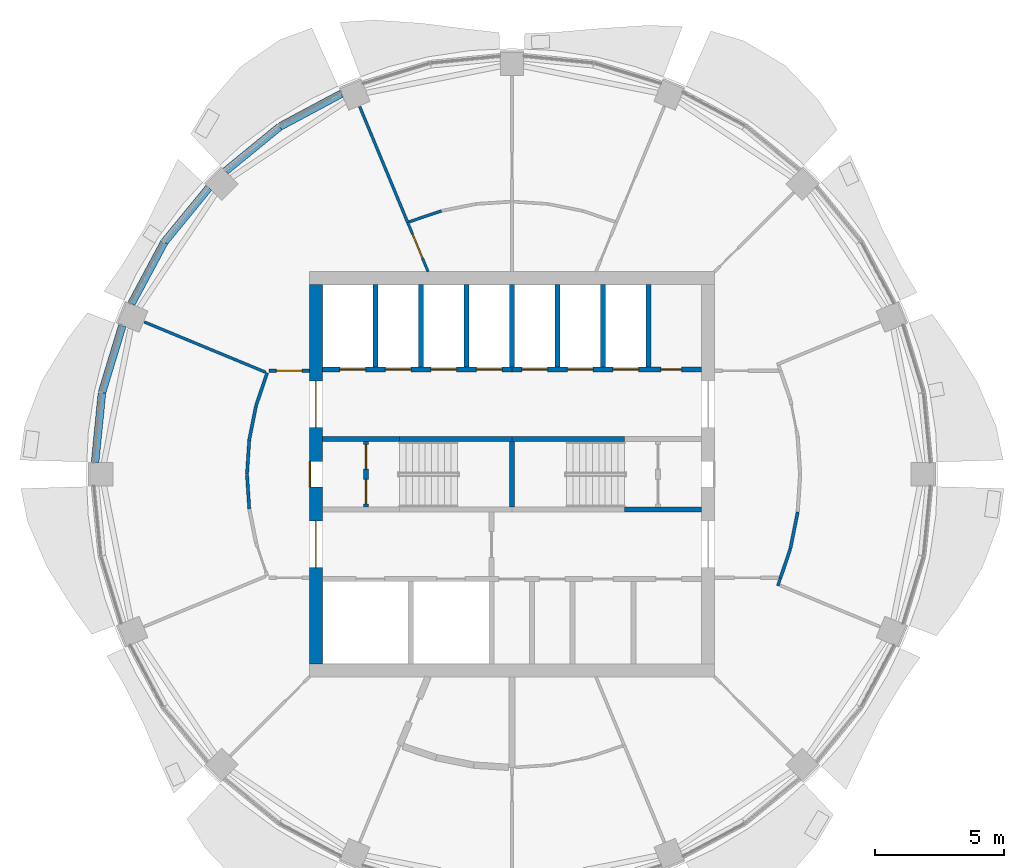
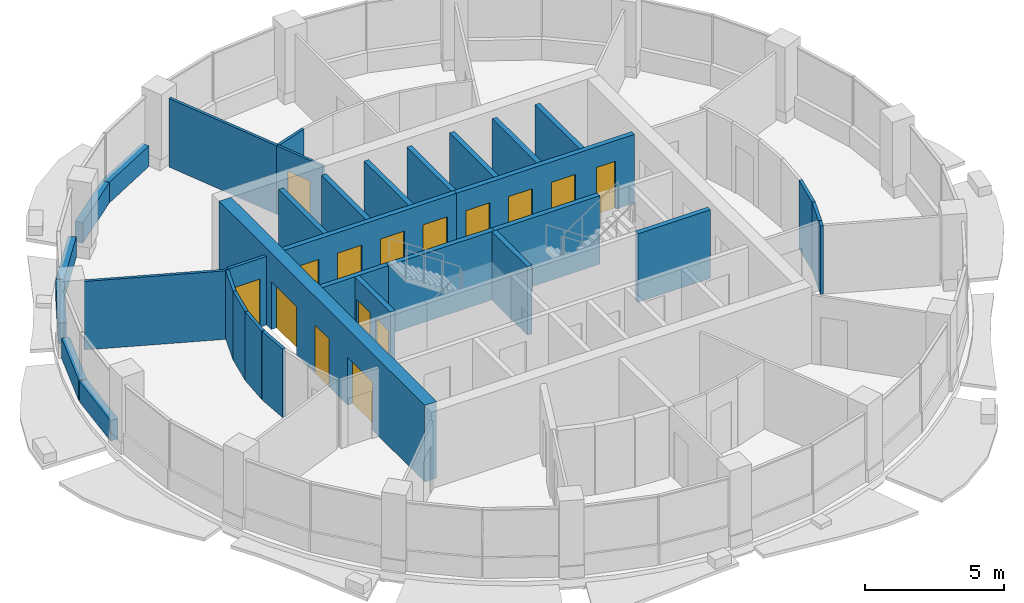
# One storey, part 9 of 15: 34 walls, 15 doors, 15 openings.
"""IFC4 building model written with IfcOpenShell, lengths in metres."""

from ifc_helpers import new_model, si_unit, direction, frame, frame_2d, origin, place, context, subcontext, project, spatial, rectangle, extrude, material, layer, layer_set, type_object, element, fill, save


model = new_model("IFC4")

# Units and contexts
model_context = context("Model", 3, precision=1e-05, world=origin(), true_north=direction((0.0, 1.0)))
body_context = subcontext(model_context, "Body", "Model", "MODEL_VIEW")
ifc_project = project(units=[si_unit("LENGTHUNIT", "METRE"), si_unit("AREAUNIT", "SQUARE_METRE"), si_unit("VOLUMEUNIT", "CUBIC_METRE"), si_unit("PLANEANGLEUNIT", "RADIAN"), si_unit("MASSUNIT", "GRAM", prefix="KILO")], contexts=[model_context])

# Site, building, storey
site_placement = place(None, origin())
site = spatial("IfcSite", under=ifc_project, at=site_placement, CompositionType="ELEMENT")
building_placement = place(site_placement, origin())
building = spatial("IfcBuilding", under=site, at=building_placement, Name="Polderwave Tower", CompositionType="ELEMENT")
storey_placement = place(building_placement, frame((0.0, 0.0, 207.75)))
storey = spatial("IfcBuildingStorey", under=building, at=storey_placement, Name="L56", CompositionType="ELEMENT", Elevation=207.75)

# Wall, openings, doors
ifc_material_1 = material(Name="Concrete C60/75", Category="concrete")
ifc_layer_1 = layer(ifc_material_1, 0.5)
ifc_layer_set_1 = layer_set([ifc_layer_1], Name="CORE WALL 500 C60/75")
wall_type_1 = type_object("IfcWallType", Name="CORE WALL 500 C60/75", PredefinedType="SHEAR", material=ifc_layer_set_1)
wall_1_placement = place(storey_placement, frame((-7.6240234375, -7.3740234375, 0.0), z_axis=(0.0, 0.0, 1.0), x_axis=(0.0, 1.0, 0.0)))
wall_1 = element("IfcWall", 1, at=wall_1_placement, inside=storey, type_object=wall_type_1, Name="ST-CORE-L56-W", PredefinedType="SHEAR", context=body_context, shape_type="SweptSolid", body=[
    extrude(rectangle(XDim=14.748046875, YDim=0.5, at=frame_2d((7.3740234375, 0.0))), origin(), (0.0, 0.0, 1.0), 3.35009765625),
])
opening_1_placement = place(wall_1_placement, frame((6.8740234375, 0.0, 0.0)))
opening_1 = element("IfcOpeningElement", 2, at=opening_1_placement, cuts=wall_1, Name="Opening L56-D20", PredefinedType="OPENING", context=body_context, shape_type="SweptSolid", body=[
    extrude(rectangle(XDim=1.0, YDim=2.10009765625, at=frame_2d((0.5, 1.050048828125))), frame((0.0, 0.260009765625, 0.0), z_axis=(0.0, -1.0, 0.0), x_axis=(1.0, 0.0, 0.0)), (0.0, 0.0, 1.0), 0.52001953125),
])
opening_2_placement = place(wall_1_placement, frame((3.74951171875, 0.0, 0.0)))
opening_2 = element("IfcOpeningElement", 3, at=opening_2_placement, cuts=wall_1, Name="Opening L56-D21", PredefinedType="OPENING", context=body_context, shape_type="SweptSolid", body=[
    extrude(rectangle(XDim=1.800048828125, YDim=2.10009765625, at=frame_2d((0.89990234375, 1.050048828125))), frame((0.0, 0.260009765625, 0.0), z_axis=(0.0, -1.0, 0.0), x_axis=(1.0, 0.0, 0.0)), (0.0, 0.0, 1.0), 0.52001953125),
])
opening_3_placement = place(wall_1_placement, frame((9.198486328125, 0.0, 0.0)))
opening_3 = element("IfcOpeningElement", 4, at=opening_3_placement, cuts=wall_1, Name="Opening L56-D22", PredefinedType="OPENING", context=body_context, shape_type="SweptSolid", body=[
    extrude(rectangle(XDim=1.800048828125, YDim=2.10009765625, at=frame_2d((0.89990234375, 1.050048828125))), frame((0.0, 0.260009765625, 0.0), z_axis=(0.0, -1.0, 0.0), x_axis=(1.0, 0.0, 0.0)), (0.0, 0.0, 1.0), 0.52001953125),
])
ifc_material_2 = material(Name="Steel fire door", Category="steel")
door_type_1 = type_object("IfcDoorType", Name="Lobby entry door pair 1800", OperationType="DOUBLE_DOOR_SINGLE_SWING", PredefinedType="DOOR", material=ifc_material_2)
door_1_placement = place(opening_2_placement, origin())
door_1 = element("IfcDoor", 5, at=door_1_placement, inside=storey, type_object=door_type_1, Name="Fire-fighting lobby entry door", OperationType="DOUBLE_DOOR_SINGLE_SWING", OverallHeight=2.10009765625, OverallWidth=1.800048828125, PredefinedType="DOOR", context=body_context, shape_type="SweptSolid", body=[
    extrude(rectangle(XDim=1.800048828125, YDim=2.10009765625, at=frame_2d((0.89990234375, 1.050048828125))), frame((0.0, 0.02490234375, 0.0), z_axis=(0.0, -1.0, 0.0), x_axis=(1.0, 0.0, 0.0)), (0.0, 0.0, 1.0), 0.050048828125),
])
fill(opening_2, door_1)
door_2_placement = place(opening_3_placement, origin())
door_2 = element("IfcDoor", 6, at=door_2_placement, inside=storey, type_object=door_type_1, Name="North lobby entry door", OperationType="DOUBLE_DOOR_SINGLE_SWING", OverallHeight=2.10009765625, OverallWidth=1.800048828125, PredefinedType="DOOR", context=body_context, shape_type="SweptSolid", body=[
    extrude(rectangle(XDim=1.800048828125, YDim=2.10009765625, at=frame_2d((0.89990234375, 1.050048828125))), frame((0.0, 0.02490234375, 0.0), z_axis=(0.0, -1.0, 0.0), x_axis=(1.0, 0.0, 0.0)), (0.0, 0.0, 1.0), 0.050048828125),
])
fill(opening_3, door_2)
door_type_2 = type_object("IfcDoorType", Name="Stair door 1000", OperationType="NOTDEFINED", PredefinedType="DOOR", material=ifc_material_2)
door_3_placement = place(opening_1_placement, origin())
door_3 = element("IfcDoor", 7, at=door_3_placement, inside=storey, type_object=door_type_2, Name="Stair A entry door", OperationType="SINGLE_SWING_RIGHT", OverallHeight=2.10009765625, OverallWidth=1.0, PredefinedType="DOOR", context=body_context, shape_type="SweptSolid", body=[
    extrude(rectangle(XDim=1.0, YDim=2.10009765625, at=frame_2d((0.5, 1.050048828125))), frame((0.0, 0.25, 0.0), z_axis=(0.0, -1.0, 0.0), x_axis=(1.0, 0.0, 0.0)), (0.0, 0.0, 1.0), 0.050048828125),
])
fill(opening_1, door_3)

# Walls
ifc_material_3 = material(Name="Concrete C50/60 (board-marked)", Category="concrete")
ifc_layer_2 = layer(ifc_material_3, 0.300048828125)
ifc_layer_set_2 = layer_set([ifc_layer_2], Name="Concrete spandrel upstand C50/60")
wall_type_2 = type_object("IfcWallType", Name="Concrete spandrel upstand C50/60", PredefinedType="SOLIDWALL", material=ifc_layer_set_2)
for number, where, z_axis, x_axis, name in (
    (8, (-6.630126953125, 14.79296875, 0.0), (0.0, 0.0, 1.0), (-0.881887660835, -0.471459599189, 0.0), "Spandrel L56 6a"),
    (9, (-9.03955078125, 13.50146484375, 0.0), (0.0, 0.0, 1.0), (-0.773200498897, -0.634161642253, 0.0), "Spandrel L56 6b"),
    (10, (-11.78662109375, 11.13037109375, 0.0), (0.0, 0.0, 1.0), (-0.634161642253, -0.773200498897, 0.0), "Spandrel L56 7a"),
    (11, (-13.51806640625, 9.014892578125, 0.0), (0.0, 0.0, 1.0), (-0.471459599189, -0.881887660835, 0.0), "Spandrel L56 7b"),
):
    element("IfcWall", number, at=place(storey_placement, frame(where, z_axis=z_axis, x_axis=x_axis)), inside=storey, type_object=wall_type_2, Name=name, PredefinedType="SOLIDWALL", context=body_context, shape_type="SweptSolid", body=[
        extrude(rectangle(XDim=2.7041015625, YDim=0.300048828125, at=frame_2d((1.35205078125, 0.0))), origin(), (0.0, 0.0, 1.0), 0.89990234375),
    ])
wall_2_placement = place(storey_placement, frame((-15.1474609375, 5.772705078125, 0.0), z_axis=(0.0, 0.0, 1.0), x_axis=(-0.290608505958, -0.956842043529, 0.0)))
element("IfcWall", 12, at=wall_2_placement, inside=storey, type_object=wall_type_2, Name="Spandrel L56 8a", PredefinedType="SOLIDWALL", context=body_context, shape_type="SweptSolid", body=[
    extrude(rectangle(XDim=2.705078125, YDim=0.300048828125, at=frame_2d((1.3525390625, 0.0))), origin(), (0.0, 0.0, 1.0), 0.89990234375),
])
wall_3_placement = place(storey_placement, frame((-15.939453125, 3.155029296875, 0.0), z_axis=(0.0, 0.0, 1.0), x_axis=(-0.098046581117, -0.995181826568, 0.0)))
element("IfcWall", 13, at=wall_3_placement, inside=storey, type_object=wall_type_2, Name="Spandrel L56 8b", PredefinedType="SOLIDWALL", context=body_context, shape_type="SweptSolid", body=[
    extrude(rectangle(XDim=2.7041015625, YDim=0.300048828125, at=frame_2d((1.35205078125, 0.0))), origin(), (0.0, 0.0, 1.0), 0.89990234375),
])

# Wall, openings, doors
ifc_material_4 = material(Name="Gypsum board partition")
ifc_layer_3 = layer(ifc_material_4, 0.199951171875)
ifc_layer_set_3 = layer_set([ifc_layer_3], Name="Core room partition 200")
wall_type_3 = type_object("IfcWallType", Name="Core room partition 200", PredefinedType="PARTITIONING", material=ifc_layer_set_3)
wall_4_placement = place(storey_placement, frame((-5.674072265625, -1.27490234375, 0.0), z_axis=(0.0, 0.0, 1.0), x_axis=(0.0, 1.0, 0.0)))
wall_4 = element("IfcWall", 14, at=wall_4_placement, inside=storey, type_object=wall_type_3, Name="L56 smoke lobby wall A", PredefinedType="PARTITIONING", context=body_context, shape_type="SweptSolid", body=[
    extrude(rectangle(XDim=2.5498046875, YDim=0.199951171875, at=frame_2d((1.27490234375, 0.0))), origin(), (0.0, 0.0, 1.0), 3.0),
])
opening_4_placement = place(wall_4_placement, frame((0.125, 0.0, 0.0)))
opening_4 = element("IfcOpeningElement", 15, at=opening_4_placement, cuts=wall_4, Name="Opening L56-D10", PredefinedType="OPENING", context=body_context, shape_type="SweptSolid", body=[
    extrude(rectangle(XDim=0.949951171875, YDim=2.10009765625, at=frame_2d((0.47509765625, 1.050048828125))), frame((0.0, 0.10986328125, 0.0), z_axis=(0.0, -1.0, 0.0), x_axis=(1.0, 0.0, 0.0)), (0.0, 0.0, 1.0), 0.219970703125),
])
opening_5_placement = place(wall_4_placement, frame((1.47509765625, 0.0, 0.0)))
opening_5 = element("IfcOpeningElement", 16, at=opening_5_placement, cuts=wall_4, Name="Opening L56-D11", PredefinedType="OPENING", context=body_context, shape_type="SweptSolid", body=[
    extrude(rectangle(XDim=0.949951171875, YDim=2.10009765625, at=frame_2d((0.47509765625, 1.050048828125))), frame((0.0, 0.10986328125, 0.0), z_axis=(0.0, -1.0, 0.0), x_axis=(1.0, 0.0, 0.0)), (0.0, 0.0, 1.0), 0.219970703125),
])
door_type_3 = type_object("IfcDoorType", Name="Smoke lobby door 950", OperationType="NOTDEFINED", PredefinedType="DOOR", material=ifc_material_2)
door_4_placement = place(opening_4_placement, origin())
door_4 = element("IfcDoor", 17, at=door_4_placement, inside=storey, type_object=door_type_3, Name="Stair A smoke lobby inner door", OperationType="SINGLE_SWING_LEFT", OverallHeight=2.10009765625, OverallWidth=0.949951171875, PredefinedType="DOOR", context=body_context, shape_type="SweptSolid", body=[
    extrude(rectangle(XDim=0.949951171875, YDim=2.10009765625, at=frame_2d((0.47509765625, 1.050048828125))), frame((0.0, 0.02490234375, 0.0), z_axis=(0.0, -1.0, 0.0), x_axis=(1.0, 0.0, 0.0)), (0.0, 0.0, 1.0), 0.050048828125),
])
fill(opening_4, door_4)
door_5_placement = place(opening_5_placement, origin())
door_5 = element("IfcDoor", 18, at=door_5_placement, inside=storey, type_object=door_type_3, Name="Stair A smoke lobby inner door", OperationType="SINGLE_SWING_RIGHT", OverallHeight=2.10009765625, OverallWidth=0.949951171875, PredefinedType="DOOR", context=body_context, shape_type="SweptSolid", body=[
    extrude(rectangle(XDim=0.949951171875, YDim=2.10009765625, at=frame_2d((0.47509765625, 1.050048828125))), frame((0.0, 0.02490234375, 0.0), z_axis=(0.0, -1.0, 0.0), x_axis=(1.0, 0.0, 0.0)), (0.0, 0.0, 1.0), 0.050048828125),
])
fill(opening_5, door_5)

ifc_material_5 = material(Name="Concrete C50/60", Category="concrete")
ifc_layer_4 = layer(ifc_material_5, 0.199951171875)
ifc_layer_set_4 = layer_set([ifc_layer_4], Name="Core web wall 200")
wall_type_4 = type_object("IfcWallType", Name="Core web wall 200", PredefinedType="SHEAR", material=ifc_layer_set_4)
wall_5_placement = place(storey_placement, frame((-7.3740234375, 4.073974609375, 0.0), z_axis=(0.0, 0.0, 1.0), x_axis=(1.0, 0.0, 0.0)))
wall_5 = element("IfcWall", 19, at=wall_5_placement, inside=storey, type_object=wall_type_4, Name="L56 north front wall 1", PredefinedType="SHEAR", context=body_context, shape_type="SweptSolid", body=[
    extrude(rectangle(XDim=7.3740234375, YDim=0.199951171875, at=frame_2d((3.68701171875, 0.0))), origin(), (0.0, 0.0, 1.0), 3.0),
])
opening_6_placement = place(wall_5_placement, frame((0.68408203125, 0.0, 0.0)))
opening_6 = element("IfcOpeningElement", 20, at=opening_6_placement, cuts=wall_5, Name="Opening L56-D03", PredefinedType="OPENING", context=body_context, shape_type="SweptSolid", body=[
    extrude(rectangle(XDim=1.0, YDim=2.10009765625, at=frame_2d((0.5, 1.050048828125))), frame((0.0, 0.10986328125, 0.0), z_axis=(0.0, -1.0, 0.0), x_axis=(1.0, 0.0, 0.0)), (0.0, 0.0, 1.0), 0.219970703125),
])
opening_7_placement = place(wall_5_placement, frame((2.45263671875, 0.0, 0.0)))
opening_7 = element("IfcOpeningElement", 21, at=opening_7_placement, cuts=wall_5, Name="Opening L56-D04", PredefinedType="OPENING", context=body_context, shape_type="SweptSolid", body=[
    extrude(rectangle(XDim=1.0, YDim=2.10009765625, at=frame_2d((0.5, 1.050048828125))), frame((0.0, 0.10986328125, 0.0), z_axis=(0.0, -1.0, 0.0), x_axis=(1.0, 0.0, 0.0)), (0.0, 0.0, 1.0), 0.219970703125),
])
opening_8_placement = place(wall_5_placement, frame((4.22119140625, 0.0, 0.0)))
opening_8 = element("IfcOpeningElement", 22, at=opening_8_placement, cuts=wall_5, Name="Opening L56-D05", PredefinedType="OPENING", context=body_context, shape_type="SweptSolid", body=[
    extrude(rectangle(XDim=1.0, YDim=2.10009765625, at=frame_2d((0.5, 1.050048828125))), frame((0.0, 0.10986328125, 0.0), z_axis=(0.0, -1.0, 0.0), x_axis=(1.0, 0.0, 0.0)), (0.0, 0.0, 1.0), 0.219970703125),
])
opening_9_placement = place(wall_5_placement, frame((5.98974609375, 0.0, 0.0)))
opening_9 = element("IfcOpeningElement", 23, at=opening_9_placement, cuts=wall_5, Name="Opening L56-D06", PredefinedType="OPENING", context=body_context, shape_type="SweptSolid", body=[
    extrude(rectangle(XDim=1.0, YDim=2.10009765625, at=frame_2d((0.5, 1.050048828125))), frame((0.0, 0.10986328125, 0.0), z_axis=(0.0, -1.0, 0.0), x_axis=(1.0, 0.0, 0.0)), (0.0, 0.0, 1.0), 0.219970703125),
])
ifc_material_6 = material(Name="Stainless steel", Category="steel")
door_type_4 = type_object("IfcDoorType", Name="Lift landing door 1000", OperationType="DOUBLE_DOOR_SLIDING", PredefinedType="DOOR", material=ifc_material_6)
door_6_placement = place(opening_6_placement, frame((1.0, 0.0, 0.0), z_axis=(0.0, 0.0, 1.0), x_axis=(-1.0, 0.0, 0.0)))
door_6 = element("IfcDoor", 24, at=door_6_placement, inside=storey, type_object=door_type_4, Name="Lift HL1 landing door", OperationType="DOUBLE_DOOR_SLIDING", OverallHeight=2.10009765625, OverallWidth=1.0, PredefinedType="DOOR", context=body_context, shape_type="SweptSolid", body=[
    extrude(rectangle(XDim=1.0, YDim=2.10009765625, at=frame_2d((0.5, 1.050048828125))), frame((0.0, 0.02490234375, 0.0), z_axis=(0.0, -1.0, 0.0), x_axis=(1.0, 0.0, 0.0)), (0.0, 0.0, 1.0), 0.050048828125),
])
fill(opening_6, door_6)
door_7_placement = place(opening_7_placement, frame((1.0, 0.0, 0.0), z_axis=(0.0, 0.0, 1.0), x_axis=(-1.0, 0.0, 0.0)))
door_7 = element("IfcDoor", 25, at=door_7_placement, inside=storey, type_object=door_type_4, Name="Lift HL2 landing door", OperationType="DOUBLE_DOOR_SLIDING", OverallHeight=2.10009765625, OverallWidth=1.0, PredefinedType="DOOR", context=body_context, shape_type="SweptSolid", body=[
    extrude(rectangle(XDim=1.0, YDim=2.10009765625, at=frame_2d((0.5, 1.050048828125))), frame((0.0, 0.02490234375, 0.0), z_axis=(0.0, -1.0, 0.0), x_axis=(1.0, 0.0, 0.0)), (0.0, 0.0, 1.0), 0.050048828125),
])
fill(opening_7, door_7)
door_8_placement = place(opening_8_placement, frame((1.0, 0.0, 0.0), z_axis=(0.0, 0.0, 1.0), x_axis=(-1.0, 0.0, 0.0)))
door_8 = element("IfcDoor", 26, at=door_8_placement, inside=storey, type_object=door_type_4, Name="Lift HL3 landing door", OperationType="DOUBLE_DOOR_SLIDING", OverallHeight=2.10009765625, OverallWidth=1.0, PredefinedType="DOOR", context=body_context, shape_type="SweptSolid", body=[
    extrude(rectangle(XDim=1.0, YDim=2.10009765625, at=frame_2d((0.5, 1.050048828125))), frame((0.0, 0.02490234375, 0.0), z_axis=(0.0, -1.0, 0.0), x_axis=(1.0, 0.0, 0.0)), (0.0, 0.0, 1.0), 0.050048828125),
])
fill(opening_8, door_8)
door_9_placement = place(opening_9_placement, frame((1.0, 0.0, 0.0), z_axis=(0.0, 0.0, 1.0), x_axis=(-1.0, 0.0, 0.0)))
door_9 = element("IfcDoor", 27, at=door_9_placement, inside=storey, type_object=door_type_4, Name="Lift HL4 landing door", OperationType="DOUBLE_DOOR_SLIDING", OverallHeight=2.10009765625, OverallWidth=1.0, PredefinedType="DOOR", context=body_context, shape_type="SweptSolid", body=[
    extrude(rectangle(XDim=1.0, YDim=2.10009765625, at=frame_2d((0.5, 1.050048828125))), frame((0.0, 0.02490234375, 0.0), z_axis=(0.0, -1.0, 0.0), x_axis=(1.0, 0.0, 0.0)), (0.0, 0.0, 1.0), 0.050048828125),
])
fill(opening_9, door_9)

wall_6_placement = place(storey_placement, frame((0.0, 4.073974609375, 0.0), z_axis=(0.0, 0.0, 1.0), x_axis=(1.0, 0.0, 0.0)))
wall_6 = element("IfcWall", 28, at=wall_6_placement, inside=storey, type_object=wall_type_4, Name="L56 north front wall 2", PredefinedType="SHEAR", context=body_context, shape_type="SweptSolid", body=[
    extrude(rectangle(XDim=7.3740234375, YDim=0.199951171875, at=frame_2d((3.68701171875, 0.0))), origin(), (0.0, 0.0, 1.0), 3.0),
])
opening_10_placement = place(wall_6_placement, frame((0.38427734375, 0.0, 0.0)))
opening_10 = element("IfcOpeningElement", 29, at=opening_10_placement, cuts=wall_6, Name="Opening L56-D07", PredefinedType="OPENING", context=body_context, shape_type="SweptSolid", body=[
    extrude(rectangle(XDim=1.0, YDim=2.10009765625, at=frame_2d((0.5, 1.050048828125))), frame((0.0, 0.10986328125, 0.0), z_axis=(0.0, -1.0, 0.0), x_axis=(1.0, 0.0, 0.0)), (0.0, 0.0, 1.0), 0.219970703125),
])
opening_11_placement = place(wall_6_placement, frame((2.15283203125, 0.0, 0.0)))
opening_11 = element("IfcOpeningElement", 30, at=opening_11_placement, cuts=wall_6, Name="Opening L56-D08", PredefinedType="OPENING", context=body_context, shape_type="SweptSolid", body=[
    extrude(rectangle(XDim=1.0, YDim=2.10009765625, at=frame_2d((0.5, 1.050048828125))), frame((0.0, 0.10986328125, 0.0), z_axis=(0.0, -1.0, 0.0), x_axis=(1.0, 0.0, 0.0)), (0.0, 0.0, 1.0), 0.219970703125),
])
opening_12_placement = place(wall_6_placement, frame((3.921142578125, 0.0, 0.0)))
opening_12 = element("IfcOpeningElement", 31, at=opening_12_placement, cuts=wall_6, Name="Opening L56-D09", PredefinedType="OPENING", context=body_context, shape_type="SweptSolid", body=[
    extrude(rectangle(XDim=1.0, YDim=2.10009765625, at=frame_2d((0.5, 1.050048828125))), frame((0.0, 0.10986328125, 0.0), z_axis=(0.0, -1.0, 0.0), x_axis=(1.0, 0.0, 0.0)), (0.0, 0.0, 1.0), 0.219970703125),
])
opening_13_placement = place(wall_6_placement, frame((5.789794921875, 0.0, 0.0)))
opening_13 = element("IfcOpeningElement", 32, at=opening_13_placement, cuts=wall_6, Name="Opening L56-D19", PredefinedType="OPENING", context=body_context, shape_type="SweptSolid", body=[
    extrude(rectangle(XDim=0.800048828125, YDim=2.10009765625, at=frame_2d((0.39990234375, 1.050048828125))), frame((0.0, 0.10986328125, 0.0), z_axis=(0.0, -1.0, 0.0), x_axis=(1.0, 0.0, 0.0)), (0.0, 0.0, 1.0), 0.219970703125),
])
door_10_placement = place(opening_10_placement, frame((1.0, 0.0, 0.0), z_axis=(0.0, 0.0, 1.0), x_axis=(-1.0, 0.0, 0.0)))
door_10 = element("IfcDoor", 33, at=door_10_placement, inside=storey, type_object=door_type_4, Name="Lift HL5 landing door", OperationType="DOUBLE_DOOR_SLIDING", OverallHeight=2.10009765625, OverallWidth=1.0, PredefinedType="DOOR", context=body_context, shape_type="SweptSolid", body=[
    extrude(rectangle(XDim=1.0, YDim=2.10009765625, at=frame_2d((0.5, 1.050048828125))), frame((0.0, 0.02490234375, 0.0), z_axis=(0.0, -1.0, 0.0), x_axis=(1.0, 0.0, 0.0)), (0.0, 0.0, 1.0), 0.050048828125),
])
fill(opening_10, door_10)
door_11_placement = place(opening_11_placement, frame((1.0, 0.0, 0.0), z_axis=(0.0, 0.0, 1.0), x_axis=(-1.0, 0.0, 0.0)))
door_11 = element("IfcDoor", 34, at=door_11_placement, inside=storey, type_object=door_type_4, Name="Lift HL6 landing door", OperationType="DOUBLE_DOOR_SLIDING", OverallHeight=2.10009765625, OverallWidth=1.0, PredefinedType="DOOR", context=body_context, shape_type="SweptSolid", body=[
    extrude(rectangle(XDim=1.0, YDim=2.10009765625, at=frame_2d((0.5, 1.050048828125))), frame((0.0, 0.02490234375, 0.0), z_axis=(0.0, -1.0, 0.0), x_axis=(1.0, 0.0, 0.0)), (0.0, 0.0, 1.0), 0.050048828125),
])
fill(opening_11, door_11)
door_12_placement = place(opening_12_placement, frame((1.0, 0.0, 0.0), z_axis=(0.0, 0.0, 1.0), x_axis=(-1.0, 0.0, 0.0)))
door_12 = element("IfcDoor", 35, at=door_12_placement, inside=storey, type_object=door_type_4, Name="Lift HL7 landing door", OperationType="DOUBLE_DOOR_SLIDING", OverallHeight=2.10009765625, OverallWidth=1.0, PredefinedType="DOOR", context=body_context, shape_type="SweptSolid", body=[
    extrude(rectangle(XDim=1.0, YDim=2.10009765625, at=frame_2d((0.5, 1.050048828125))), frame((0.0, 0.02490234375, 0.0), z_axis=(0.0, -1.0, 0.0), x_axis=(1.0, 0.0, 0.0)), (0.0, 0.0, 1.0), 0.050048828125),
])
fill(opening_12, door_12)
door_type_5 = type_object("IfcDoorType", Name="Riser door 800", OperationType="NOTDEFINED", PredefinedType="DOOR", material=ifc_material_2)
door_13_placement = place(opening_13_placement, frame((0.800048828125, 0.0, 0.0), z_axis=(0.0, 0.0, 1.0), x_axis=(-1.0, 0.0, 0.0)))
door_13 = element("IfcDoor", 36, at=door_13_placement, inside=storey, type_object=door_type_5, Name="Riser door", OperationType="SINGLE_SWING_LEFT", OverallHeight=2.10009765625, OverallWidth=0.800048828125, PredefinedType="DOOR", context=body_context, shape_type="SweptSolid", body=[
    extrude(rectangle(XDim=0.800048828125, YDim=2.10009765625, at=frame_2d((0.39990234375, 1.050048828125))), frame((0.0, 0.02490234375, 0.0), z_axis=(0.0, -1.0, 0.0), x_axis=(1.0, 0.0, 0.0)), (0.0, 0.0, 1.0), 0.050048828125),
])
fill(opening_13, door_13)

# Walls
for number, where, z_axis, x_axis, name in (
    (37, (4.3740234375, -1.375, 0.0), (0.0, 0.0, 1.0), (1.0, 0.0, 0.0), "L56 south stair wall 4"),
    (38, (-7.3740234375, 1.375, 0.0), (0.0, 0.0, 1.0), (1.0, 0.0, 0.0), "L56 north stair wall 1"),
):
    element("IfcWall", number, at=place(storey_placement, frame(where, z_axis=z_axis, x_axis=x_axis)), inside=storey, type_object=wall_type_4, Name=name, PredefinedType="SHEAR", context=body_context, shape_type="SweptSolid", body=[
        extrude(rectangle(XDim=3.0, YDim=0.199951171875, at=frame_2d((1.5, 0.0))), origin(), (0.0, 0.0, 1.0), 3.0),
    ])
for number, where, z_axis, x_axis, name in (
    (39, (-4.3740234375, 1.375, 0.0), (0.0, 0.0, 1.0), (1.0, 0.0, 0.0), "L56 north stair wall 2"),
    (40, (0.0, 1.375, 0.0), (0.0, 0.0, 1.0), (1.0, 0.0, 0.0), "L56 north stair wall 3"),
):
    element("IfcWall", number, at=place(storey_placement, frame(where, z_axis=z_axis, x_axis=x_axis)), inside=storey, type_object=wall_type_4, Name=name, PredefinedType="SHEAR", context=body_context, shape_type="SweptSolid", body=[
        extrude(rectangle(XDim=4.3740234375, YDim=0.199951171875, at=frame_2d((2.18701171875, 0.0))), origin(), (0.0, 0.0, 1.0), 3.0),
    ])
wall_7_placement = place(storey_placement, frame((0.0, -1.27490234375, 0.0), z_axis=(0.0, 0.0, 1.0), x_axis=(0.0, 1.0, 0.0)))
element("IfcWall", 41, at=wall_7_placement, inside=storey, type_object=wall_type_4, Name="L56 wall between the stairs", PredefinedType="SHEAR", context=body_context, shape_type="SweptSolid", body=[
    extrude(rectangle(XDim=2.5498046875, YDim=0.199951171875, at=frame_2d((1.27490234375, 0.0))), origin(), (0.0, 0.0, 1.0), 3.0),
])
ifc_material_7 = material(Name="Fire-resisting board on steel studs", Category="steel")
ifc_layer_5 = layer(ifc_material_7, 0.125)
ifc_layer_set_5 = layer_set([ifc_layer_5], Name="Corridor wall 125 mm EI 60")
wall_type_5 = type_object("IfcWallType", Name="Corridor wall 125 mm EI 60", PredefinedType="PARTITIONING", material=ifc_layer_set_5)
wall_8_placement = place(storey_placement, frame((10.817138671875, -2.902587890625, 0.0), z_axis=(0.0, 0.0, 1.0), x_axis=(-0.321477840896, -0.94691710187, 0.0)))
element("IfcWall", 42, at=wall_8_placement, inside=storey, type_object=wall_type_5, Name="IN-L56-W002", PredefinedType="PARTITIONING", context=body_context, shape_type="SweptSolid", body=[
    extrude(rectangle(XDim=1.184814453125, YDim=0.125, at=frame_2d((0.59228515625, 0.0))), origin(), (0.0, 0.0, 1.0), 3.0),
])
wall_9_placement = place(storey_placement, frame((11.103515625, -1.4658203125, 0.0), z_axis=(0.0, 0.0, 1.0), x_axis=(-0.19521377649, -0.980760715704, 0.0)))
element("IfcWall", 43, at=wall_9_placement, inside=storey, type_object=wall_type_5, Name="IN-L56-W004", PredefinedType="PARTITIONING", context=body_context, shape_type="SweptSolid", body=[
    extrude(rectangle(XDim=1.45703125, YDim=0.125, at=frame_2d((0.728515625, 0.0))), origin(), (0.0, 0.0, 1.0), 3.0),
])

# Wall, opening, door
wall_10_placement = place(storey_placement, frame((-9.436279296875, 4.0244140625, 0.0), z_axis=(0.0, 0.0, 1.0), x_axis=(1.0, 0.0, 0.0)))
wall_10 = element("IfcWall", 44, at=wall_10_placement, inside=storey, type_object=wall_type_5, Name="IN-L56-W009", PredefinedType="PARTITIONING", context=body_context, shape_type="SweptSolid", body=[
    extrude(rectangle(XDim=1.562255859375, YDim=0.125, at=frame_2d((0.78125, 0.0))), origin(), (0.0, 0.0, 1.0), 3.0),
])
opening_14_placement = place(wall_10_placement, frame((0.281005859375, 0.0, 0.0)))
opening_14 = element("IfcOpeningElement", 45, at=opening_14_placement, cuts=wall_10, Name="Opening L56-D53", PredefinedType="OPENING", context=body_context, shape_type="SweptSolid", body=[
    extrude(rectangle(XDim=1.0, YDim=2.10009765625, at=frame_2d((0.5, 1.050048828125))), frame((0.0, 0.072509765625, 0.0), z_axis=(0.0, -1.0, 0.0), x_axis=(1.0, 0.0, 0.0)), (0.0, 0.0, 1.0), 0.14501953125),
])
ifc_material_8 = material(Name="Timber fire door leaf", Category="wood")
door_type_6 = type_object("IfcDoorType", Name="Fire door FD30S 1000 x 2100", OperationType="NOTDEFINED", PredefinedType="DOOR", material=ifc_material_8)
door_14_placement = place(opening_14_placement, origin())
door_14 = element("IfcDoor", 46, at=door_14_placement, inside=storey, type_object=door_type_6, Name="Door L56-D53", OperationType="SINGLE_SWING_LEFT", OverallHeight=2.10009765625, OverallWidth=1.0, PredefinedType="DOOR", context=body_context, shape_type="SweptSolid", body=[
    extrude(rectangle(XDim=1.0, YDim=2.10009765625, at=frame_2d((0.5, 1.050048828125))), frame((0.0, 0.02490234375, 0.0), z_axis=(0.0, -1.0, 0.0), x_axis=(1.0, 0.0, 0.0)), (0.0, 0.0, 1.0), 0.050048828125),
])
fill(opening_14, door_14)

# Walls
for number, where, z_axis, x_axis, name in (
    (47, (-10.2998046875, 0.004150390625, 0.0), (0.0, 0.0, 1.0), (0.065454075316, 0.99785558275, 0.0), "IN-L56-W010"),
    (48, (-10.212158203125, -1.34033203125, 0.0), (0.0, 0.0, 1.0), (-0.065454075316, 0.99785558275, 0.0), "IN-L56-W011"),
):
    element("IfcWall", number, at=place(storey_placement, frame(where, z_axis=z_axis, x_axis=x_axis)), inside=storey, type_object=wall_type_5, Name=name, PredefinedType="PARTITIONING", context=body_context, shape_type="SweptSolid", body=[
        extrude(rectangle(XDim=1.339111328125, YDim=0.125, at=frame_2d((0.66943359375, 0.0))), origin(), (0.0, 0.0, 1.0), 3.0),
    ])
wall_11_placement = place(storey_placement, frame((-10.211181640625, 1.348388671875, 0.0), z_axis=(0.0, 0.0, 1.0), x_axis=(0.195239630967, 0.980755569191, 0.0)))
element("IfcWall", 49, at=wall_11_placement, inside=storey, type_object=wall_type_5, Name="IN-L56-W012", PredefinedType="PARTITIONING", context=body_context, shape_type="SweptSolid", body=[
    extrude(rectangle(XDim=1.33935546875, YDim=0.125, at=frame_2d((0.669677734375, 0.0))), origin(), (0.0, 0.0, 1.0), 3.0),
])
wall_12_placement = place(storey_placement, frame((-9.94775390625, 2.669677734375, 0.0), z_axis=(0.0, 0.0, 1.0), x_axis=(0.321348735565, 0.946960923244, 0.0)))
element("IfcWall", 50, at=wall_12_placement, inside=storey, type_object=wall_type_5, Name="IN-L56-W014", PredefinedType="PARTITIONING", context=body_context, shape_type="SweptSolid", body=[
    extrude(rectangle(XDim=1.34326171875, YDim=0.125, at=frame_2d((0.671630859375, 0.0))), origin(), (0.0, 0.0, 1.0), 3.0),
])

# Wall, opening, door
ifc_material_9 = material(Name="Plasterboard on steel studs", Category="steel")
ifc_layer_6 = layer(ifc_material_9, 0.10009765625)
ifc_layer_set_6 = layer_set([ifc_layer_6], Name="Partition 100 mm plasterboard on steel studs")
wall_type_6 = type_object("IfcWallType", Name="Partition 100 mm plasterboard on steel studs", PredefinedType="PARTITIONING", material=ifc_layer_set_6)
wall_13_placement = place(storey_placement, frame((-4.056396484375, 9.793212890625, 0.0), z_axis=(0.0, 0.0, 1.0), x_axis=(0.382670108955, -0.923885051136, 0.0)))
wall_13 = element("IfcWall", 51, at=wall_13_placement, inside=storey, type_object=wall_type_6, Name="IN-L56-W032", PredefinedType="PARTITIONING", context=body_context, shape_type="SweptSolid", body=[
    extrude(rectangle(XDim=2.077392578125, YDim=0.10009765625, at=frame_2d((1.03857421875, 0.0))), origin(), (0.0, 0.0, 1.0), 3.0),
])
opening_15_placement = place(wall_13_placement, frame((0.5, 0.0, 0.0)))
opening_15 = element("IfcOpeningElement", 52, at=opening_15_placement, cuts=wall_13, Name="Opening L56-D60", PredefinedType="OPENING", context=body_context, shape_type="SweptSolid", body=[
    extrude(rectangle(XDim=1.0, YDim=2.10009765625, at=frame_2d((0.5, 1.050048828125))), frame((0.0, 0.06005859375, 0.0), z_axis=(0.0, -1.0, 0.0), x_axis=(1.0, 0.0, 0.0)), (0.0, 0.0, 1.0), 0.1201171875),
])
ifc_material_10 = material(Name="Timber veneer door leaf", Category="wood")
door_type_7 = type_object("IfcDoorType", Name="Single door 1000 x 2100", OperationType="NOTDEFINED", PredefinedType="DOOR", material=ifc_material_10)
door_15_placement = place(opening_15_placement, origin())
door_15 = element("IfcDoor", 53, at=door_15_placement, inside=storey, type_object=door_type_7, Name="Door L56-D60", OperationType="SINGLE_SWING_LEFT", OverallHeight=2.10009765625, OverallWidth=1.0, PredefinedType="DOOR", context=body_context, shape_type="SweptSolid", body=[
    extrude(rectangle(XDim=1.0, YDim=2.10009765625, at=frame_2d((0.5, 1.050048828125))), frame((0.0, 0.02490234375, 0.0), z_axis=(0.0, -1.0, 0.0), x_axis=(1.0, 0.0, 0.0)), (0.0, 0.0, 1.0), 0.050048828125),
])
fill(opening_15, door_15)

# Walls
ifc_material_11 = material(Name="Acoustic double plasterboard on steel studs", Category="steel")
ifc_layer_7 = layer(ifc_material_11, 0.110107421875)
ifc_layer_set_7 = layer_set([ifc_layer_7], Name="Partition 110 mm acoustic double board")
wall_type_7 = type_object("IfcWallType", Name="Partition 110 mm acoustic double board", PredefinedType="PARTITIONING", material=ifc_layer_set_7)
wall_14_placement = place(storey_placement, frame((10.329833984375, -4.338134765625, 0.0), z_axis=(0.0, 0.0, 1.0), x_axis=(0.321308145965, 0.946974696249, 0.0)))
element("IfcWall", 54, at=wall_14_placement, inside=storey, type_object=wall_type_7, Name="IN-L56-W019", PredefinedType="PARTITIONING", context=body_context, shape_type="SweptSolid", body=[
    extrude(rectangle(XDim=0.331298828125, YDim=0.110107421875, at=frame_2d((0.16552734375, 0.0))), origin(), (0.0, 0.0, 1.0), 3.0),
])
wall_15_placement = place(storey_placement, frame((-4.000732421875, 9.81201171875, 0.0), z_axis=(0.0, 0.0, 1.0), x_axis=(0.94695465551, 0.321367204936, 0.0)))
element("IfcWall", 55, at=wall_15_placement, inside=storey, type_object=wall_type_7, Name="IN-L56-W029", PredefinedType="PARTITIONING", context=body_context, shape_type="SweptSolid", body=[
    extrude(rectangle(XDim=1.32421875, YDim=0.110107421875, at=frame_2d((0.662109375, 0.0))), origin(), (0.0, 0.0, 1.0), 3.0),
])
wall_16_placement = place(storey_placement, frame((-4.056396484375, 9.793212890625, 0.0), z_axis=(0.0, 0.0, 1.0), x_axis=(-0.3827030411, 0.923871410064, 0.0)))
element("IfcWall", 56, at=wall_16_placement, inside=storey, type_object=wall_type_7, Name="IN-L56-W033", PredefinedType="PARTITIONING", context=body_context, shape_type="SweptSolid", body=[
    extrude(rectangle(XDim=4.8701171875, YDim=0.110107421875, at=frame_2d((2.43505859375, 0.0))), origin(), (0.0, 0.0, 1.0), 3.0),
])
wall_17_placement = place(storey_placement, frame((-9.5771484375, 3.967041015625, 0.0), z_axis=(0.0, 0.0, 1.0), x_axis=(-0.923881574534, 0.382678502448, 0.0)))
element("IfcWall", 57, at=wall_17_placement, inside=storey, type_object=wall_type_7, Name="IN-L56-W034", PredefinedType="PARTITIONING", context=body_context, shape_type="SweptSolid", body=[
    extrude(rectangle(XDim=5.103759765625, YDim=0.110107421875, at=frame_2d((2.5517578125, 0.0))), origin(), (0.0, 0.0, 1.0), 3.0),
])
ifc_material_12 = material(Name="Gypsum shaft wall system")
ifc_layer_8 = layer(ifc_material_12, 0.199951171875)
ifc_layer_set_8 = layer_set([ifc_layer_8], Name="Shaft wall 200")
wall_type_8 = type_object("IfcWallType", Name="Shaft wall 200", PredefinedType="PARTITIONING", material=ifc_layer_set_8)
for number, where, z_axis, x_axis, name in (
    (58, (-5.305419921875, 4.174072265625, 0.0), (0.0, 0.0, 1.0), (0.0, 1.0, 0.0), "L56 lift shaft wall N1"),
    (59, (-3.537109375, 4.174072265625, 0.0), (0.0, 0.0, 1.0), (0.0, 1.0, 0.0), "L56 lift shaft wall N2"),
    (60, (-1.7685546875, 4.174072265625, 0.0), (0.0, 0.0, 1.0), (0.0, 1.0, 0.0), "L56 lift shaft wall N3"),
    (61, (0.0, 4.174072265625, 0.0), (0.0, 0.0, 1.0), (0.0, 1.0, 0.0), "L56 lift shaft wall N4"),
    (62, (1.7685546875, 4.174072265625, 0.0), (0.0, 0.0, 1.0), (0.0, 1.0, 0.0), "L56 lift shaft wall N5"),
    (63, (3.537109375, 4.174072265625, 0.0), (0.0, 0.0, 1.0), (0.0, 1.0, 0.0), "L56 lift shaft wall N6"),
    (64, (5.305419921875, 4.174072265625, 0.0), (0.0, 0.0, 1.0), (0.0, 1.0, 0.0), "L56 lift shaft wall N7"),
):
    element("IfcWall", number, at=place(storey_placement, frame(where, z_axis=z_axis, x_axis=x_axis)), inside=storey, type_object=wall_type_8, Name=name, PredefinedType="PARTITIONING", context=body_context, shape_type="SweptSolid", body=[
        extrude(rectangle(XDim=3.199951171875, YDim=0.199951171875, at=frame_2d((1.60009765625, 0.0))), origin(), (0.0, 0.0, 1.0), 3.0),
    ])

save(model, "model.ifc")
